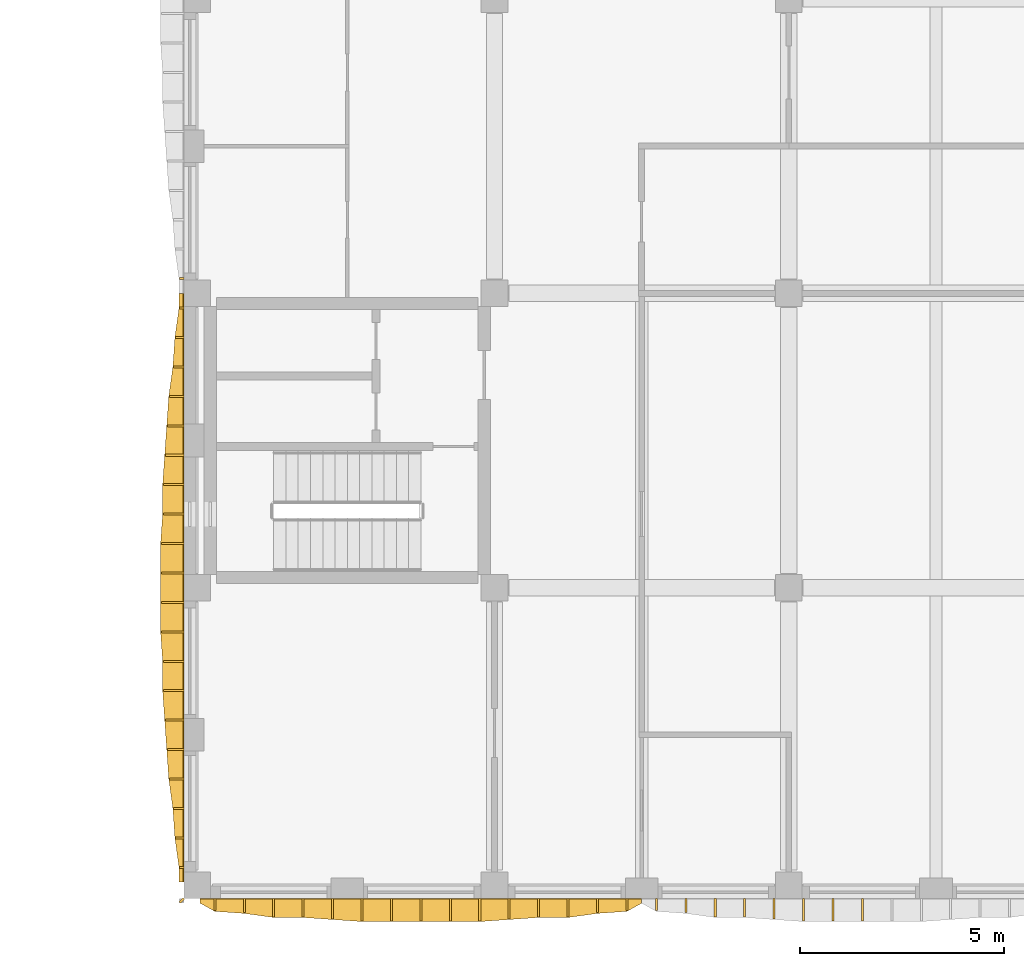
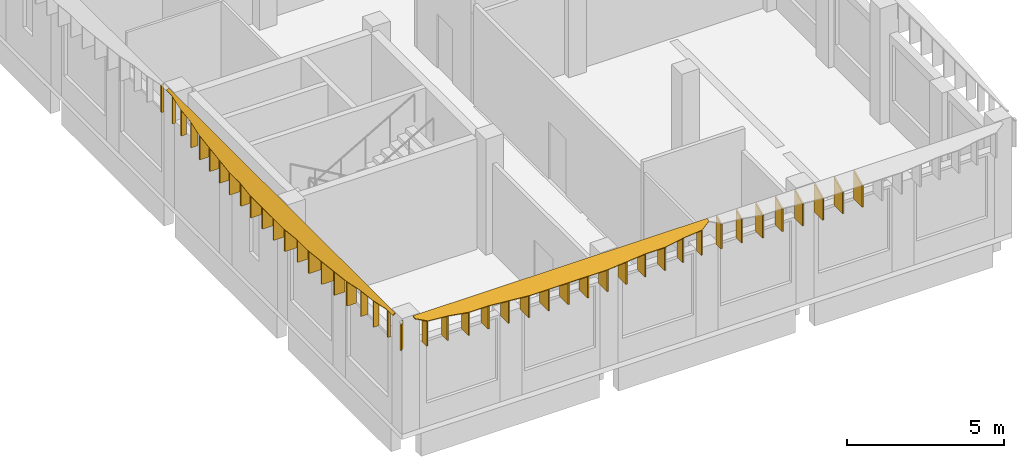
# One storey, part 23 of 30: 47 shading devices.
"""IFC4 building model written with IfcOpenShell, lengths in metres."""

from ifc_helpers import new_model, si_unit, direction, frame, origin, place, context, subcontext, project, spatial, polyline, outline, extrude, material, layer, layer_set, type_object, element, save


model = new_model("IFC4")

# Units and contexts
model_context = context("Model", 3, precision=1e-05, world=origin(), true_north=direction((0.0, 1.0)))
body_context = subcontext(model_context, "Body", "Model", "MODEL_VIEW")
ifc_project = project(units=[si_unit("LENGTHUNIT", "METRE"), si_unit("AREAUNIT", "SQUARE_METRE"), si_unit("VOLUMEUNIT", "CUBIC_METRE"), si_unit("PLANEANGLEUNIT", "RADIAN"), si_unit("MASSUNIT", "GRAM", prefix="KILO")], contexts=[model_context])

# Site, building, storey
site_placement = place(None, origin())
site = spatial("IfcSite", under=ifc_project, at=site_placement, CompositionType="ELEMENT")
building_placement = place(site_placement, origin())
building = spatial("IfcBuilding", under=site, at=building_placement, Name="Ussher Court Research Institute", CompositionType="ELEMENT")
storey_placement = place(building_placement, frame((0.0, 0.0, 27.89990234375)))
storey = spatial("IfcBuildingStorey", under=building, at=storey_placement, Name="L06", CompositionType="ELEMENT", Elevation=27.89990234375)

# Shading devices
ifc_material_1 = material(Name="Bronze anodised aluminium", Category="aluminium")
ifc_layer_1 = layer(ifc_material_1, 0.050048828125)
ifc_layer_set_1 = layer_set([ifc_layer_1], Name="Bronze anodised aluminium")
shading_device_type_1 = type_object("IfcShadingDeviceType", Name="Brim blade 100 mm deep 1100 mm high canted 26 deg wet", PredefinedType="USERDEFINED", material=ifc_layer_set_1)
for number, where, z_axis, x_axis, name in (
    (1, (81.800048828125, 4.360107421875, 3.35009765625), (0.0, 0.0, 1.0), (-1.0, 0.0, 0.0), "Brim blade BS10 L06"),
    (2, (81.800048828125, 18.0400390625, 3.35009765625), (0.0, 0.0, 1.0), (-1.0, 0.0, 0.0), "Brim blade BS10 L06"),
    (3, (81.800048828125, 18.760009765625, 3.35009765625), (0.0, 0.0, 1.0), (-1.0, 0.0, 0.0), "Brim blade BS10 L06"),
):
    element("IfcShadingDevice", number, at=place(storey_placement, frame(where, z_axis=z_axis, x_axis=x_axis)), inside=storey, type_object=shading_device_type_1, Name=name, ObjectType="BLADE", PredefinedType="USERDEFINED", context=body_context, shape_type="SweptSolid", body=[
        extrude(outline(polyline([(0.0, 0.0), (0.10009765625, 0.0), (0.10009765625, 1.05126953125), (0.0, 1.10009765625), (0.0, 0.0)])), frame((0.0, 0.02490234375, 0.0), z_axis=(0.0, -1.0, 0.0), x_axis=(1.0, 0.0, 0.0)), (0.0, 0.0, 1.0), 0.050048828125),
    ])
ifc_material_2 = material(Name="Bronze anodised aluminium", Category="aluminium")
ifc_layer_2 = layer(ifc_material_2, 0.050048828125)
ifc_layer_set_2 = layer_set([ifc_layer_2], Name="Bronze anodised aluminium")
shading_device_type_2 = type_object("IfcShadingDeviceType", Name="Brim blade 200 mm deep 1100 mm high canted 26 deg wet", PredefinedType="USERDEFINED", material=ifc_layer_set_2)
for number, where, z_axis, x_axis, name in (
    (4, (81.800048828125, 5.080078125, 3.35009765625), (0.0, 0.0, 1.0), (-1.0, 0.0, 0.0), "Brim blade BS08 L06"),
    (5, (81.800048828125, 17.320068359375, 3.35009765625), (0.0, 0.0, 1.0), (-1.0, 0.0, 0.0), "Brim blade BS08 L06"),
):
    element("IfcShadingDevice", number, at=place(storey_placement, frame(where, z_axis=z_axis, x_axis=x_axis)), inside=storey, type_object=shading_device_type_2, Name=name, ObjectType="BLADE", PredefinedType="USERDEFINED", context=body_context, shape_type="SweptSolid", body=[
        extrude(outline(polyline([(0.0, 0.0), (0.199951171875, 0.0), (0.199951171875, 1.00244140625), (0.0, 1.10009765625), (0.0, 0.0)])), frame((0.0, 0.02490234375, 0.0), z_axis=(0.0, -1.0, 0.0), x_axis=(1.0, 0.0, 0.0)), (0.0, 0.0, 1.0), 0.050048828125),
    ])
ifc_material_3 = material(Name="Bronze anodised aluminium", Category="aluminium")
ifc_layer_3 = layer(ifc_material_3, 0.050048828125)
ifc_layer_set_3 = layer_set([ifc_layer_3], Name="Bronze anodised aluminium")
shading_device_type_3 = type_object("IfcShadingDeviceType", Name="Brim blade 250 mm deep 1100 mm high canted 26 deg wet", PredefinedType="USERDEFINED", material=ifc_layer_set_3)
for number, where, z_axis, x_axis, name in (
    (6, (81.800048828125, 5.800048828125, 3.35009765625), (0.0, 0.0, 1.0), (-1.0, 0.0, 0.0), "Brim blade BS07 L06"),
    (7, (81.800048828125, 16.60009765625, 3.35009765625), (0.0, 0.0, 1.0), (-1.0, 0.0, 0.0), "Brim blade BS07 L06"),
):
    element("IfcShadingDevice", number, at=place(storey_placement, frame(where, z_axis=z_axis, x_axis=x_axis)), inside=storey, type_object=shading_device_type_3, Name=name, ObjectType="BLADE", PredefinedType="USERDEFINED", context=body_context, shape_type="SweptSolid", body=[
        extrude(outline(polyline([(0.0, 0.0), (0.25, 0.0), (0.25, 0.97802734375), (0.0, 1.10009765625), (0.0, 0.0)])), frame((0.0, 0.02490234375, 0.0), z_axis=(0.0, -1.0, 0.0), x_axis=(1.0, 0.0, 0.0)), (0.0, 0.0, 1.0), 0.050048828125),
    ])
ifc_material_4 = material(Name="Bronze anodised aluminium", Category="aluminium")
ifc_layer_4 = layer(ifc_material_4, 0.050048828125)
ifc_layer_set_4 = layer_set([ifc_layer_4], Name="Bronze anodised aluminium")
shading_device_type_4 = type_object("IfcShadingDeviceType", Name="Brim blade 300 mm deep 1100 mm high canted 26 deg wet", PredefinedType="USERDEFINED", material=ifc_layer_set_4)
for number, where, z_axis, x_axis, name in (
    (8, (93.360107421875, 3.60009765625, 3.35009765625), (0.0, 0.0, 1.0), (0.0, -1.0, 0.0), "Brim blade BS06 L06"),
    (9, (92.639892578125, 3.60009765625, 3.35009765625), (0.0, 0.0, 1.0), (0.0, -1.0, 0.0), "Brim blade BS06 L06"),
    (10, (82.56005859375, 3.60009765625, 3.35009765625), (0.0, 0.0, 1.0), (0.0, -1.0, 0.0), "Brim blade BS06 L06"),
):
    element("IfcShadingDevice", number, at=place(storey_placement, frame(where, z_axis=z_axis, x_axis=x_axis)), inside=storey, type_object=shading_device_type_4, Name=name, ObjectType="BLADE", PredefinedType="USERDEFINED", context=body_context, shape_type="SweptSolid", body=[
        extrude(outline(polyline([(0.0, 0.0), (0.300048828125, 0.0), (0.300048828125, 0.95361328125), (0.0, 1.10009765625), (0.0, 0.0)])), frame((0.0, 0.02490234375, 0.0), z_axis=(0.0, -1.0, 0.0), x_axis=(1.0, 0.0, 0.0)), (0.0, 0.0, 1.0), 0.050048828125),
    ])
ifc_material_5 = material(Name="Bronze anodised aluminium", Category="aluminium")
ifc_layer_5 = layer(ifc_material_5, 0.050048828125)
ifc_layer_set_5 = layer_set([ifc_layer_5], Name="Bronze anodised aluminium")
shading_device_type_5 = type_object("IfcShadingDeviceType", Name="Brim blade 350 mm deep 1100 mm high canted 26 deg wet", PredefinedType="USERDEFINED", material=ifc_layer_set_5)
for number, where, z_axis, x_axis, name in (
    (11, (94.080078125, 3.60009765625, 3.35009765625), (0.0, 0.0, 1.0), (0.0, -1.0, 0.0), "Brim blade BS05 L06"),
    (12, (91.919921875, 3.60009765625, 3.35009765625), (0.0, 0.0, 1.0), (0.0, -1.0, 0.0), "Brim blade BS05 L06"),
    (13, (83.280029296875, 3.60009765625, 3.35009765625), (0.0, 0.0, 1.0), (0.0, -1.0, 0.0), "Brim blade BS05 L06"),
    (14, (81.800048828125, 6.52001953125, 3.35009765625), (0.0, 0.0, 1.0), (-1.0, 0.0, 0.0), "Brim blade BS05 L06"),
    (15, (81.800048828125, 15.8798828125, 3.35009765625), (0.0, 0.0, 1.0), (-1.0, 0.0, 0.0), "Brim blade BS05 L06"),
):
    element("IfcShadingDevice", number, at=place(storey_placement, frame(where, z_axis=z_axis, x_axis=x_axis)), inside=storey, type_object=shading_device_type_5, Name=name, ObjectType="BLADE", PredefinedType="USERDEFINED", context=body_context, shape_type="SweptSolid", body=[
        extrude(outline(polyline([(0.0, 0.0), (0.35009765625, 0.0), (0.35009765625, 0.92919921875), (0.0, 1.10009765625), (0.0, 0.0)])), frame((0.0, 0.02490234375, 0.0), z_axis=(0.0, -1.0, 0.0), x_axis=(1.0, 0.0, 0.0)), (0.0, 0.0, 1.0), 0.050048828125),
    ])
ifc_material_6 = material(Name="Bronze anodised aluminium", Category="aluminium")
ifc_layer_6 = layer(ifc_material_6, 0.050048828125)
ifc_layer_set_6 = layer_set([ifc_layer_6], Name="Bronze anodised aluminium")
shading_device_type_6 = type_object("IfcShadingDeviceType", Name="Brim blade 400 mm deep 1100 mm high canted 26 deg wet", PredefinedType="USERDEFINED", material=ifc_layer_set_6)
for number, where, z_axis, x_axis, name in (
    (16, (81.800048828125, 7.239990234375, 3.35009765625), (0.0, 0.0, 1.0), (-1.0, 0.0, 0.0), "Brim blade BS04 L06"),
    (17, (81.800048828125, 15.159912109375, 3.35009765625), (0.0, 0.0, 1.0), (-1.0, 0.0, 0.0), "Brim blade BS04 L06"),
):
    element("IfcShadingDevice", number, at=place(storey_placement, frame(where, z_axis=z_axis, x_axis=x_axis)), inside=storey, type_object=shading_device_type_6, Name=name, ObjectType="BLADE", PredefinedType="USERDEFINED", context=body_context, shape_type="SweptSolid", body=[
        extrude(outline(polyline([(0.0, 0.0), (0.400146484375, 0.0), (0.39990234375, 0.90478515625), (0.0, 1.10009765625), (0.0, 0.0)])), frame((0.0, 0.02490234375, 0.0), z_axis=(0.0, -1.0, 0.0), x_axis=(1.0, 0.0, 0.0)), (0.0, 0.0, 1.0), 0.050048828125),
    ])
ifc_material_7 = material(Name="Bronze anodised aluminium", Category="aluminium")
ifc_layer_7 = layer(ifc_material_7, 0.050048828125)
ifc_layer_set_7 = layer_set([ifc_layer_7], Name="Bronze anodised aluminium")
shading_device_type_7 = type_object("IfcShadingDeviceType", Name="Brim blade 450 mm deep 1100 mm high canted 26 deg wet", PredefinedType="USERDEFINED", material=ifc_layer_set_7)
for number, where, z_axis, x_axis, name in (
    (18, (95.52001953125, 3.60009765625, 3.35009765625), (0.0, 0.0, 1.0), (0.0, -1.0, 0.0), "Brim blade BS03 L06"),
    (19, (94.800048828125, 3.60009765625, 3.35009765625), (0.0, 0.0, 1.0), (0.0, -1.0, 0.0), "Brim blade BS03 L06"),
    (20, (91.199951171875, 3.60009765625, 3.35009765625), (0.0, 0.0, 1.0), (0.0, -1.0, 0.0), "Brim blade BS03 L06"),
    (21, (90.47998046875, 3.60009765625, 3.35009765625), (0.0, 0.0, 1.0), (0.0, -1.0, 0.0), "Brim blade BS03 L06"),
    (22, (84.719970703125, 3.60009765625, 3.35009765625), (0.0, 0.0, 1.0), (0.0, -1.0, 0.0), "Brim blade BS03 L06"),
    (23, (84.0, 3.60009765625, 3.35009765625), (0.0, 0.0, 1.0), (0.0, -1.0, 0.0), "Brim blade BS03 L06"),
):
    element("IfcShadingDevice", number, at=place(storey_placement, frame(where, z_axis=z_axis, x_axis=x_axis)), inside=storey, type_object=shading_device_type_7, Name=name, ObjectType="BLADE", PredefinedType="USERDEFINED", context=body_context, shape_type="SweptSolid", body=[
        extrude(outline(polyline([(0.0, 0.0), (0.4501953125, 0.0), (0.449951171875, 0.880615234375), (0.0, 1.10009765625), (0.0, 0.0)])), frame((0.0, 0.02490234375, 0.0), z_axis=(0.0, -1.0, 0.0), x_axis=(1.0, 0.0, 0.0)), (0.0, 0.0, 1.0), 0.050048828125),
    ])
for number, where, z_axis, x_axis, name in (
    (24, (81.800048828125, 7.9599609375, 3.35009765625), (0.0, 0.0, 1.0), (-1.0, 0.0, 0.0), "Brim blade BS03 L06"),
    (25, (81.800048828125, 14.43994140625, 3.35009765625), (0.0, 0.0, 1.0), (-1.0, 0.0, 0.0), "Brim blade BS03 L06"),
):
    element("IfcShadingDevice", number, at=place(storey_placement, frame(where, z_axis=z_axis, x_axis=x_axis)), inside=storey, type_object=shading_device_type_7, Name=name, ObjectType="BLADE", PredefinedType="USERDEFINED", context=body_context, shape_type="SweptSolid", body=[
        extrude(outline(polyline([(0.0, 0.0), (0.449951171875, 0.0), (0.449951171875, 0.880615234375), (0.0, 1.10009765625), (0.0, 0.0)])), frame((0.0, 0.02490234375, 0.0), z_axis=(0.0, -1.0, 0.0), x_axis=(1.0, 0.0, 0.0)), (0.0, 0.0, 1.0), 0.050048828125),
    ])
ifc_material_8 = material(Name="Bronze anodised aluminium", Category="aluminium")
ifc_layer_8 = layer(ifc_material_8, 0.050048828125)
ifc_layer_set_8 = layer_set([ifc_layer_8], Name="Bronze anodised aluminium")
shading_device_type_8 = type_object("IfcShadingDeviceType", Name="Brim blade 500 mm deep 1100 mm high canted 26 deg wet", PredefinedType="USERDEFINED", material=ifc_layer_set_8)
for number, where, z_axis, x_axis, name in (
    (26, (96.239990234375, 3.60009765625, 3.35009765625), (0.0, 0.0, 1.0), (0.0, -1.0, 0.0), "Brim blade BS02 L06"),
    (27, (89.760009765625, 3.60009765625, 3.35009765625), (0.0, 0.0, 1.0), (0.0, -1.0, 0.0), "Brim blade BS02 L06"),
    (28, (85.43994140625, 3.60009765625, 3.35009765625), (0.0, 0.0, 1.0), (0.0, -1.0, 0.0), "Brim blade BS02 L06"),
    (29, (81.800048828125, 8.679931640625, 3.35009765625), (0.0, 0.0, 1.0), (-1.0, 0.0, 0.0), "Brim blade BS02 L06"),
    (30, (81.800048828125, 9.39990234375, 3.35009765625), (0.0, 0.0, 1.0), (-1.0, 0.0, 0.0), "Brim blade BS02 L06"),
    (31, (81.800048828125, 13.0, 3.35009765625), (0.0, 0.0, 1.0), (-1.0, 0.0, 0.0), "Brim blade BS02 L06"),
    (32, (81.800048828125, 13.719970703125, 3.35009765625), (0.0, 0.0, 1.0), (-1.0, 0.0, 0.0), "Brim blade BS02 L06"),
):
    element("IfcShadingDevice", number, at=place(storey_placement, frame(where, z_axis=z_axis, x_axis=x_axis)), inside=storey, type_object=shading_device_type_8, Name=name, ObjectType="BLADE", PredefinedType="USERDEFINED", context=body_context, shape_type="SweptSolid", body=[
        extrude(outline(polyline([(0.0, 0.0), (0.5, 0.0), (0.5, 0.856201171875), (0.0, 1.10009765625), (0.0, 0.0)])), frame((0.0, 0.02490234375, 0.0), z_axis=(0.0, -1.0, 0.0), x_axis=(1.0, 0.0, 0.0)), (0.0, 0.0, 1.0), 0.050048828125),
    ])
ifc_material_9 = material(Name="Bronze anodised aluminium", Category="aluminium")
ifc_layer_9 = layer(ifc_material_9, 0.050048828125)
ifc_layer_set_9 = layer_set([ifc_layer_9], Name="Bronze anodised aluminium")
shading_device_type_9 = type_object("IfcShadingDeviceType", Name="Brim blade 550 mm deep 1100 mm high canted 26 deg wet", PredefinedType="USERDEFINED", material=ifc_layer_set_9)
for number, where, z_axis, x_axis, name in (
    (33, (98.39990234375, 3.60009765625, 3.35009765625), (0.0, 0.0, 1.0), (0.0, -1.0, 0.0), "Brim blade BS01 L06"),
    (34, (97.679931640625, 3.60009765625, 3.35009765625), (0.0, 0.0, 1.0), (0.0, -1.0, 0.0), "Brim blade BS01 L06"),
    (35, (96.9599609375, 3.60009765625, 3.35009765625), (0.0, 0.0, 1.0), (0.0, -1.0, 0.0), "Brim blade BS01 L06"),
    (36, (89.0400390625, 3.60009765625, 3.35009765625), (0.0, 0.0, 1.0), (0.0, -1.0, 0.0), "Brim blade BS01 L06"),
    (37, (88.320068359375, 3.60009765625, 3.35009765625), (0.0, 0.0, 1.0), (0.0, -1.0, 0.0), "Brim blade BS01 L06"),
    (38, (87.60009765625, 3.60009765625, 3.35009765625), (0.0, 0.0, 1.0), (0.0, -1.0, 0.0), "Brim blade BS01 L06"),
    (39, (86.8798828125, 3.60009765625, 3.35009765625), (0.0, 0.0, 1.0), (0.0, -1.0, 0.0), "Brim blade BS01 L06"),
    (40, (86.159912109375, 3.60009765625, 3.35009765625), (0.0, 0.0, 1.0), (0.0, -1.0, 0.0), "Brim blade BS01 L06"),
    (41, (81.800048828125, 10.1201171875, 3.35009765625), (0.0, 0.0, 1.0), (-1.0, 0.0, 0.0), "Brim blade BS01 L06"),
    (42, (81.800048828125, 10.840087890625, 3.35009765625), (0.0, 0.0, 1.0), (-1.0, 0.0, 0.0), "Brim blade BS01 L06"),
    (43, (81.800048828125, 11.56005859375, 3.35009765625), (0.0, 0.0, 1.0), (-1.0, 0.0, 0.0), "Brim blade BS01 L06"),
    (44, (81.800048828125, 12.280029296875, 3.35009765625), (0.0, 0.0, 1.0), (-1.0, 0.0, 0.0), "Brim blade BS01 L06"),
):
    element("IfcShadingDevice", number, at=place(storey_placement, frame(where, z_axis=z_axis, x_axis=x_axis)), inside=storey, type_object=shading_device_type_9, Name=name, ObjectType="BLADE", PredefinedType="USERDEFINED", context=body_context, shape_type="SweptSolid", body=[
        extrude(outline(polyline([(0.0, 0.0), (0.550048828125, 0.0), (0.550048828125, 0.831787109375), (0.0, 1.10009765625), (0.0, 0.0)])), frame((0.0, 0.02490234375, 0.0), z_axis=(0.0, -1.0, 0.0), x_axis=(1.0, 0.0, 0.0)), (0.0, 0.0, 1.0), 0.050048828125),
    ])
ifc_material_10 = material(Name="Bronze anodised aluminium", Category="aluminium")
ifc_layer_10 = layer(ifc_material_10, 0.050048828125)
ifc_layer_set_10 = layer_set([ifc_layer_10], Name="Bronze anodised aluminium")
shading_device_type_10 = type_object("IfcShadingDeviceType", Name="Brim mitre blade 100 mm deep 1100 mm high canted 26 deg wet", PredefinedType="USERDEFINED", material=ifc_layer_set_10)
shading_device_1_placement = place(storey_placement, frame((81.800048828125, 3.60009765625, 3.35009765625), z_axis=(0.0, 0.0, 1.0), x_axis=(-0.707106781187, -0.707106781187, 0.0)))
element("IfcShadingDevice", 45, at=shading_device_1_placement, inside=storey, type_object=shading_device_type_10, Name="Brim mitre blade BS18 L06", ObjectType="BLADE", PredefinedType="USERDEFINED", context=body_context, shape_type="SweptSolid", body=[
    extrude(outline(polyline([(0.0, 0.0), (0.1416015625, 0.0), (0.141357421875, 1.00244140625), (0.0, 1.10009765625), (0.0, 0.0)])), frame((0.0, 0.02490234375, 0.0), z_axis=(0.0, -1.0, 0.0), x_axis=(1.0, 0.0, 0.0)), (0.0, 0.0, 1.0), 0.050048828125),
])
ifc_material_11 = material(Name="Bronze anodised aluminium", Category="aluminium")
ifc_layer_11 = layer(ifc_material_11, 0.0400390625)
ifc_layer_set_11 = layer_set([ifc_layer_11], Name="Bronze anodised aluminium")
shading_device_type_11 = type_object("IfcShadingDeviceType", Name="Brim visor sheet 40 mm canted 26 deg wet", PredefinedType="USERDEFINED", material=ifc_layer_set_11)
shading_device_2_placement = place(storey_placement, frame((93.0, 3.58251953125, 4.486083984375), z_axis=(0.0, -0.438461416816, 0.898750013054), x_axis=(-1.0, 0.0, 0.0)))
element("IfcShadingDevice", 46, at=shading_device_2_placement, inside=storey, type_object=shading_device_type_11, Name="Brim visor sheet BR1 L06", ObjectType="BRIM", PredefinedType="USERDEFINED", context=body_context, shape_type="SweptSolid", body=[
    extrude(outline(polyline([(0.0, 0.0), (10.800048828125, 0.0), (10.800048828125, 0.1113720187292832), (10.43994140625, 0.33389663479794396), (9.719970703125, 0.38958264416258553), (9.0, 0.5006281952576233), (8.280029296875, 0.5006281952576233), (7.56005859375, 0.5563142046222649), (6.840087890625, 0.6120002139869065), (6.1201171875, 0.6120002139869065), (5.39990234375, 0.6120002139869065), (4.679931640625, 0.6120002139869065), (3.9599609375, 0.6120002139869065), (3.239990234375, 0.5563142046222649), (2.52001953125, 0.5006281952576233), (1.800048828125, 0.5006281952576233), (1.080078125, 0.38958264416258553), (0.360107421875, 0.33389663479794396), (0.0, 0.1113720187292832), (0.0, 0.0)])), origin(), (0.0, 0.0, -1.0), 0.0400390625),
])
shading_device_3_placement = place(storey_placement, frame((81.782470703125, 4.0, 4.486083984375), z_axis=(-0.438529187419, 0.0, 0.898716947532), x_axis=(0.0, 1.0, 0.0)))
element("IfcShadingDevice", 47, at=shading_device_3_placement, inside=storey, type_object=shading_device_type_11, Name="Brim visor sheet BR1 L06", ObjectType="BRIM", PredefinedType="USERDEFINED", context=body_context, shape_type="SweptSolid", body=[
    extrude(outline(polyline([(0.0, 0.0), (14.39990234375, 0.0), (14.39990234375, 0.11115260474230423), (14.0400390625, 0.11115260474230423), (13.320068359375, 0.22252462280187707), (12.60009765625, 0.2782106318316635), (11.8798828125, 0.38936323657396776), (11.159912109375, 0.4449421828138569), (10.43994140625, 0.5006281918436433), (9.719970703125, 0.5563142008734296), (9.0, 0.5563142008734296), (8.280029296875, 0.6120002099032161), (7.56005859375, 0.6120002099032161), (6.840087890625, 0.6120002099032161), (6.1201171875, 0.6120002099032161), (5.39990234375, 0.5563142008734296), (4.679931640625, 0.5563142008734296), (3.9599609375, 0.5006281918436433), (3.239990234375, 0.4449421828138569), (2.52001953125, 0.38936323657396776), (1.800048828125, 0.2782106318316635), (1.080078125, 0.22252462280187707), (0.360107421875, 0.11115260474230423), (0.0, 0.11115260474230423), (0.0, 0.0)])), origin(), (0.0, 0.0, -1.0), 0.0400390625),
])

save(model, "model.ifc")
